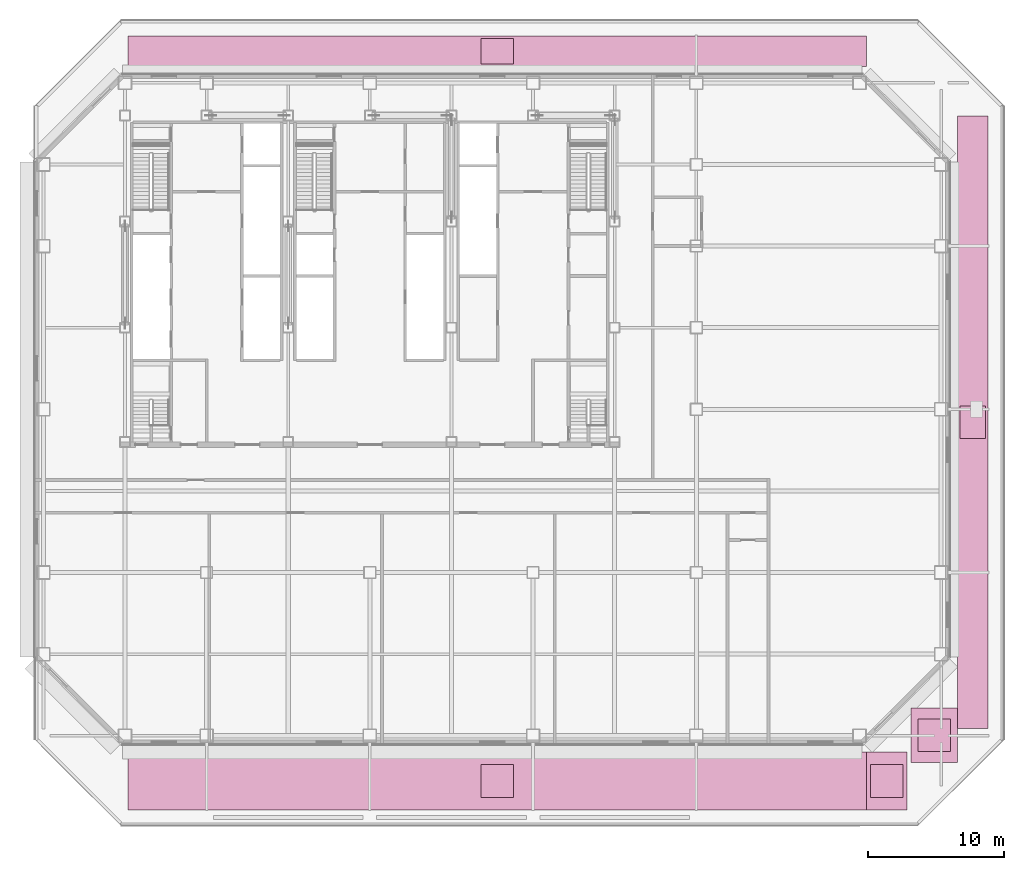
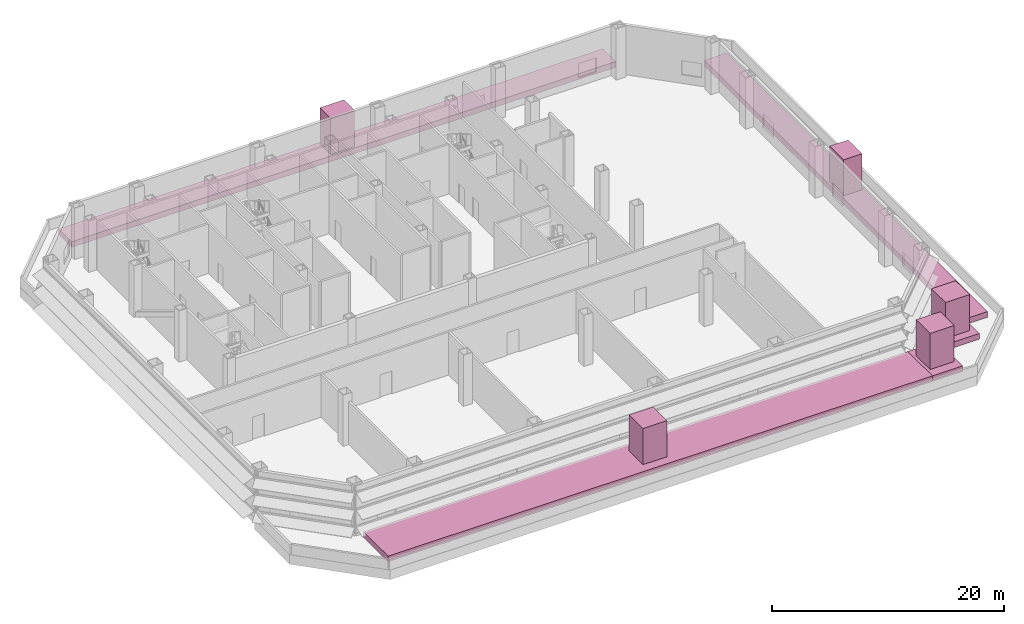
# One storey, part 11 of 11: 10 furniture elements.
"""IFC4 building model written with IfcOpenShell, lengths in metres."""

import ifcopenshell
import ifcopenshell.guid

model = None  # the IFC model being written
_history = None  # IfcOwnerHistory: only IFC2X3 demands one
_inside = {}  # id of a spatial element -> (the spatial element, [elements in it])
_under = {}  # id of a project, library or spatial element -> (it, [spatial elements below it])
_declared = {}  # id of a project -> (the project, [libraries it declares])
_typed = {}  # id of a type object -> (the type object, [elements of that type])
_made_of = {}  # id of a material, layer set ... -> (it, [elements and type objects made of it])


def new_model(schema):
    """Start an empty IFC model of exactly this schema.

    Asked for "IFC4X3", IfcOpenShell would pick the latest addendum, in which some entities
    have other attributes; the version numbers below select the first issue.
    IFC2X3 requires an IfcOwnerHistory on every rooted entity: one is made here for all.
    """
    global model, _history
    if schema == "IFC4X3":
        model = ifcopenshell.file(schema_version=(4, 3, 0, 0))
    else:
        model = ifcopenshell.file(schema=schema)
    _inside.clear()
    _under.clear()
    _declared.clear()
    _typed.clear()
    _made_of.clear()
    _history = None
    if model.schema == "IFC2X3":
        org = make("IfcOrganization", Name="unknown")
        user = make(
            "IfcPersonAndOrganization",
            ThePerson=make("IfcPerson", FamilyName="unknown"),
            TheOrganization=org,
        )
        app = make(
            "IfcApplication",
            ApplicationDeveloper=org,
            Version="unknown",
            ApplicationFullName="unknown",
            ApplicationIdentifier="unknown",
        )
        _history = make(
            "IfcOwnerHistory",
            OwningUser=user,
            OwningApplication=app,
            ChangeAction="ADDED",
            CreationDate=0,
        )
    return model


def make(cls, **values):
    """One entity of the class cls with the attributes given. An attribute that is None is left unset."""
    return model.create_entity(
        cls, **{name: value for name, value in values.items() if value is not None}
    )


def rooted(cls, **values):
    """An entity with a GlobalId (a new one), such as an element, a storey or a relation."""
    return make(cls, GlobalId=ifcopenshell.guid.new(), OwnerHistory=_history, **values)


def si_unit(unit_type, name, prefix=None):
    """IfcSIUnit, for example si_unit("LENGTHUNIT", "METRE", prefix="MILLI")."""
    return make("IfcSIUnit", UnitType=unit_type, Prefix=prefix, Name=name)


def assignment(units):
    """IfcUnitAssignment: the units of a project."""
    return None if units is None else make("IfcUnitAssignment", Units=units)


def point(xyz):
    """IfcCartesianPoint."""
    return None if xyz is None else make("IfcCartesianPoint", Coordinates=xyz)


def direction(xyz):
    """IfcDirection."""
    return None if xyz is None else make("IfcDirection", DirectionRatios=xyz)


def frame(location, z_axis=None, x_axis=None):
    """IfcAxis2Placement3D, a coordinate frame: its origin and axes. An axis left out is left unset."""
    return make(
        "IfcAxis2Placement3D",
        Location=point(location),
        Axis=direction(z_axis),
        RefDirection=direction(x_axis),
    )


def frame_2d(location, x_axis=None):
    """IfcAxis2Placement2D, a coordinate frame in the plane: its origin and x axis."""
    return make(
        "IfcAxis2Placement2D", Location=point(location), RefDirection=direction(x_axis)
    )


def origin():
    """The frame at (0, 0, 0) with its axes left unset."""
    return frame((0.0, 0.0, 0.0))


def origin_2d():
    """The frame at (0, 0) in the plane with its x axis left unset."""
    return frame_2d((0.0, 0.0))


def place(relative_to, where):
    """IfcLocalPlacement: puts the frame where relative to a parent placement (None: the world)."""
    return make(
        "IfcLocalPlacement", PlacementRelTo=relative_to, RelativePlacement=where
    )


def context(
    kind, dimensions, precision=None, world=None, true_north=None, identifier=None
):
    """IfcGeometricRepresentationContext, for example the 3D "Model" context."""
    return make(
        "IfcGeometricRepresentationContext",
        ContextIdentifier=identifier,
        ContextType=kind,
        CoordinateSpaceDimension=dimensions,
        Precision=precision,
        WorldCoordinateSystem=world,
        TrueNorth=true_north,
    )


def subcontext(parent, identifier, kind, view, scale=None):
    """IfcGeometricRepresentationSubContext, for example "Body" below "Model"."""
    return make(
        "IfcGeometricRepresentationSubContext",
        ContextIdentifier=identifier,
        ContextType=kind,
        ParentContext=parent,
        TargetScale=scale,
        TargetView=view,
    )


def project(units=None, contexts=None):
    """IfcProject with its units and contexts."""
    return rooted(
        "IfcProject",
        Name="project",
        RepresentationContexts=contexts,
        UnitsInContext=assignment(units),
    )


def spatial(cls, under=None, at=None, **own):
    """A site, building, storey or space (cls), placed at a placement, below another one or the project."""
    s = rooted(cls, ObjectPlacement=at, **own)
    if under is not None:
        _under.setdefault(under.id(), (under, []))[1].append(s)
    return s


def profile(cls, at=None, kind="AREA", **sizes):
    """A parametric profile (cls). Its sizes go by their IFC names, for example OverallWidth=200.0."""
    return make(cls, ProfileType=kind, Position=at, **sizes)


def rectangle(**sizes):
    """IfcRectangleProfileDef."""
    return profile("IfcRectangleProfileDef", **sizes)


def extrude(swept, where, along, depth):
    """IfcExtrudedAreaSolid: the profile swept, set in the frame where, extruded along a direction by depth."""
    return make(
        "IfcExtrudedAreaSolid",
        SweptArea=swept,
        Position=where,
        ExtrudedDirection=direction(along),
        Depth=depth,
    )


def shape(context_of_items, identifier, shape_type, items):
    """IfcShapeRepresentation: the items that make up one representation, for example the "Body"."""
    return make(
        "IfcShapeRepresentation",
        ContextOfItems=context_of_items,
        RepresentationIdentifier=identifier,
        RepresentationType=shape_type,
        Items=items,
    )


def material(Name=None, Category=None):
    """IfcMaterial."""
    return make("IfcMaterial", Name=Name, Category=Category)


def made_of(thing, what):
    """Note that an element or type object is made of a material, layer set ...; save() writes the relation."""
    if what is not None:
        _made_of.setdefault(what.id(), (what, []))[1].append(thing)
    return thing


def type_object(cls, material=None, **own):
    """A type object (cls), such as IfcWallType, which elements share."""
    return made_of(rooted(cls, **own), material)


def element(
    cls,
    number,
    at=None,
    inside=None,
    cuts=None,
    type_object=None,
    material=None,
    context=None,
    identifier="Body",
    shape_type=None,
    held_by="IfcProductDefinitionShape",
    body=None,
    shapes=None,
    **own,
):
    """One element of the class cls, such as IfcWall. Its Tag is "e" and its number.

    at: its placement. inside: the storey or other place that contains it. cuts: it is an
    opening in that element (IfcRelVoidsElement). A single representation is given by context,
    identifier, shape_type and body (its items); several are given by shapes. held_by: the class
    of the entity that holds the representations. save() writes the other relations.
    """
    e = rooted(cls, Tag="e%d" % number, ObjectPlacement=at, **own)
    if body is not None:
        shapes = [shape(context, identifier, shape_type, body)]
    if shapes is not None:
        e.Representation = make(held_by, Representations=shapes)
    if inside is not None:
        _inside.setdefault(inside.id(), (inside, []))[1].append(e)
    if cuts is not None:
        rooted(
            "IfcRelVoidsElement", RelatingBuildingElement=cuts, RelatedOpeningElement=e
        )
    if type_object is not None:
        _typed.setdefault(type_object.id(), (type_object, []))[1].append(e)
    return made_of(e, material)


def aggregate(whole, parts):
    """IfcRelAggregates: a whole, such as a stair, and the parts it consists of."""
    return rooted("IfcRelAggregates", RelatingObject=whole, RelatedObjects=parts)


def save(model, path):
    """Write the relations noted so far, then the file.

    IfcRelAggregates (storeys below a building ...), IfcRelContainedInSpatialStructure (elements
    in a storey), IfcRelDefinesByType, IfcRelAssociatesMaterial and IfcRelDeclares: one each for
    every whole, place, type object, material and project.
    """
    for whole, parts in _under.values():
        aggregate(whole, parts)
    for where, things in _inside.values():
        rooted(
            "IfcRelContainedInSpatialStructure",
            RelatedElements=things,
            RelatingStructure=where,
        )
    for kind, things in _typed.values():
        rooted("IfcRelDefinesByType", RelatedObjects=things, RelatingType=kind)
    for what, things in _made_of.values():
        rooted("IfcRelAssociatesMaterial", RelatedObjects=things, RelatingMaterial=what)
    for by, libraries in _declared.values():
        rooted("IfcRelDeclares", RelatingContext=by, RelatedDefinitions=libraries)
    model.write(path)


model = new_model("IFC4")

# Units and contexts
model_context = context("Model", 3, precision=1e-05, world=origin(), true_north=direction((0.0, 1.0)))
body_context = subcontext(model_context, "Body", "Model", "MODEL_VIEW")
ifc_project = project(units=[si_unit("LENGTHUNIT", "METRE"), si_unit("AREAUNIT", "SQUARE_METRE"), si_unit("VOLUMEUNIT", "CUBIC_METRE"), si_unit("PLANEANGLEUNIT", "RADIAN"), si_unit("MASSUNIT", "GRAM", prefix="KILO")], contexts=[model_context])

# Site, building, storey
site_placement = place(None, origin())
site = spatial("IfcSite", under=ifc_project, at=site_placement, CompositionType="ELEMENT")
building_placement = place(site_placement, origin())
building = spatial("IfcBuilding", under=site, at=building_placement, Name="Sorahane Residences", CompositionType="ELEMENT")
storey_placement = place(building_placement, frame((0.0, 0.0, 44.39990234375)))
storey = spatial("IfcBuildingStorey", under=building, at=storey_placement, Name="L07", CompositionType="ELEMENT", Elevation=44.39990234375)

# Furniture
ifc_material_1 = material(Name="Planting soil with shrubs in a steel-framed bed", Category="steel")
furniture_type_1 = type_object("IfcFurnitureType", Name="PLANTER bed black steel frame with soil 2250x45000", AssemblyPlace="NOTDEFINED", PredefinedType="NOTDEFINED", material=ifc_material_1)
furniture_1_placement = place(storey_placement, frame((68.324951171875, 23.050048828125, 0.0), z_axis=(0.0, 0.0, 1.0), x_axis=(1.0, 0.0, 0.0)))
element("IfcFurniture", 1, at=furniture_1_placement, inside=storey, type_object=furniture_type_1, Name="PLANTER bed L07.1.3", PredefinedType="NOTDEFINED", context=body_context, shape_type="SweptSolid", body=[
    extrude(rectangle(XDim=2.25, YDim=45.0, at=origin_2d()), origin(), (0.0, 0.0, 1.0), 0.60009765625),
])
ifc_material_2 = material(Name="Planting soil with shrubs in a steel-framed bed", Category="steel")
furniture_type_2 = type_object("IfcFurnitureType", Name="PLANTER bed black steel frame with soil 3000x4250", AssemblyPlace="NOTDEFINED", PredefinedType="NOTDEFINED", material=ifc_material_2)
furniture_2_placement = place(storey_placement, frame((61.9970703125, -3.324951171875, 0.0), z_axis=(0.0, 0.0, 1.0), x_axis=(1.0, 0.0, 0.0)))
element("IfcFurniture", 2, at=furniture_2_placement, inside=storey, type_object=furniture_type_2, Name="PLANTER bed L07.1.5", PredefinedType="NOTDEFINED", context=body_context, shape_type="SweptSolid", body=[
    extrude(rectangle(XDim=3.0, YDim=4.25, at=origin_2d()), origin(), (0.0, 0.0, 1.0), 0.60009765625),
])
ifc_material_3 = material(Name="Planting soil with shrubs in a steel-framed bed", Category="steel")
furniture_type_3 = type_object("IfcFurnitureType", Name="PLANTER bed black steel frame with soil 3428x4000", AssemblyPlace="NOTDEFINED", PredefinedType="NOTDEFINED", material=ifc_material_3)
furniture_3_placement = place(storey_placement, frame((65.486083984375, 0.050048828125, 0.0), z_axis=(0.0, 0.0, 1.0), x_axis=(1.0, 0.0, 0.0)))
element("IfcFurniture", 3, at=furniture_3_placement, inside=storey, type_object=furniture_type_3, Name="PLANTER bed L07.1.4", PredefinedType="NOTDEFINED", context=body_context, shape_type="SweptSolid", body=[
    extrude(rectangle(XDim=3.427734375, YDim=4.0, at=origin_2d()), origin(), (0.0, 0.0, 1.0), 0.60009765625),
])
ifc_material_4 = material(Name="Planting soil with shrubs in a steel-framed bed", Category="steel")
furniture_type_4 = type_object("IfcFurnitureType", Name="PLANTER bed black steel frame with soil 54269x2250", AssemblyPlace="NOTDEFINED", PredefinedType="NOTDEFINED", material=ifc_material_4)
furniture_4_placement = place(storey_placement, frame((33.3623046875, 50.324951171875, 0.0), z_axis=(0.0, 0.0, 1.0), x_axis=(1.0, 0.0, 0.0)))
element("IfcFurniture", 4, at=furniture_4_placement, inside=storey, type_object=furniture_type_4, Name="PLANTER bed L07.1.2", PredefinedType="NOTDEFINED", context=body_context, shape_type="SweptSolid", body=[
    extrude(rectangle(XDim=54.269287109375, YDim=2.25, at=origin_2d()), origin(), (0.0, 0.0, 1.0), 0.60009765625),
])
ifc_material_5 = material(Name="Planting soil with shrubs in a steel-framed bed", Category="steel")
furniture_type_5 = type_object("IfcFurnitureType", Name="PLANTER bed black steel frame with soil 54269x4250", AssemblyPlace="NOTDEFINED", PredefinedType="NOTDEFINED", material=ifc_material_5)
furniture_5_placement = place(storey_placement, frame((33.3623046875, -3.324951171875, 0.0), z_axis=(0.0, 0.0, 1.0), x_axis=(1.0, 0.0, 0.0)))
element("IfcFurniture", 5, at=furniture_5_placement, inside=storey, type_object=furniture_type_5, Name="PLANTER bed L07.1.1", PredefinedType="NOTDEFINED", context=body_context, shape_type="SweptSolid", body=[
    extrude(rectangle(XDim=54.269287109375, YDim=4.25, at=origin_2d()), origin(), (0.0, 0.0, 1.0), 0.60009765625),
])
ifc_material_6 = material(Name="Green foliage shrub planting")
furniture_type_6 = type_object("IfcFurnitureType", Name="PLANTER shrub planting green foliage", AssemblyPlace="NOTDEFINED", PredefinedType="NOTDEFINED", material=ifc_material_6)
furniture_6_placement = place(storey_placement, frame((33.3623046875, -3.324951171875, 0.60009765625), z_axis=(0.0, 0.0, 1.0), x_axis=(1.0, 0.0, 0.0)))
element("IfcFurniture", 6, at=furniture_6_placement, inside=storey, type_object=furniture_type_6, Name="PLANTER shrub L07.1.1", PredefinedType="NOTDEFINED", context=body_context, shape_type="SweptSolid", body=[
    extrude(rectangle(XDim=2.39990234375, YDim=2.39990234375, at=origin_2d()), origin(), (0.0, 0.0, 1.0), 3.800048828125),
])
furniture_7_placement = place(storey_placement, frame((33.3623046875, 50.324951171875, 0.60009765625), z_axis=(0.0, 0.0, 1.0), x_axis=(1.0, 0.0, 0.0)))
element("IfcFurniture", 7, at=furniture_7_placement, inside=storey, type_object=furniture_type_6, Name="PLANTER shrub L07.1.2", PredefinedType="NOTDEFINED", context=body_context, shape_type="SweptSolid", body=[
    extrude(rectangle(XDim=2.39990234375, YDim=1.85009765625, at=origin_2d()), origin(), (0.0, 0.0, 1.0), 3.800048828125),
])
furniture_8_placement = place(storey_placement, frame((68.324951171875, 23.050048828125, 0.60009765625), z_axis=(0.0, 0.0, 1.0), x_axis=(1.0, 0.0, 0.0)))
element("IfcFurniture", 8, at=furniture_8_placement, inside=storey, type_object=furniture_type_6, Name="PLANTER shrub L07.1.3", PredefinedType="NOTDEFINED", context=body_context, shape_type="SweptSolid", body=[
    extrude(rectangle(XDim=1.85009765625, YDim=2.39990234375, at=origin_2d()), origin(), (0.0, 0.0, 1.0), 3.800048828125),
])
for number, where, z_axis, x_axis, name in (
    (9, (65.486083984375, 0.050048828125, 0.60009765625), (0.0, 0.0, 1.0), (1.0, 0.0, 0.0), "PLANTER shrub L07.1.4"),
    (10, (61.9970703125, -3.324951171875, 0.60009765625), (0.0, 0.0, 1.0), (1.0, 0.0, 0.0), "PLANTER shrub L07.1.5"),
):
    element("IfcFurniture", number, at=place(storey_placement, frame(where, z_axis=z_axis, x_axis=x_axis)), inside=storey, type_object=furniture_type_6, Name=name, PredefinedType="NOTDEFINED", context=body_context, shape_type="SweptSolid", body=[
        extrude(rectangle(XDim=2.39990234375, YDim=2.39990234375, at=origin_2d()), origin(), (0.0, 0.0, 1.0), 3.800048828125),
    ])

save(model, "model.ifc")
